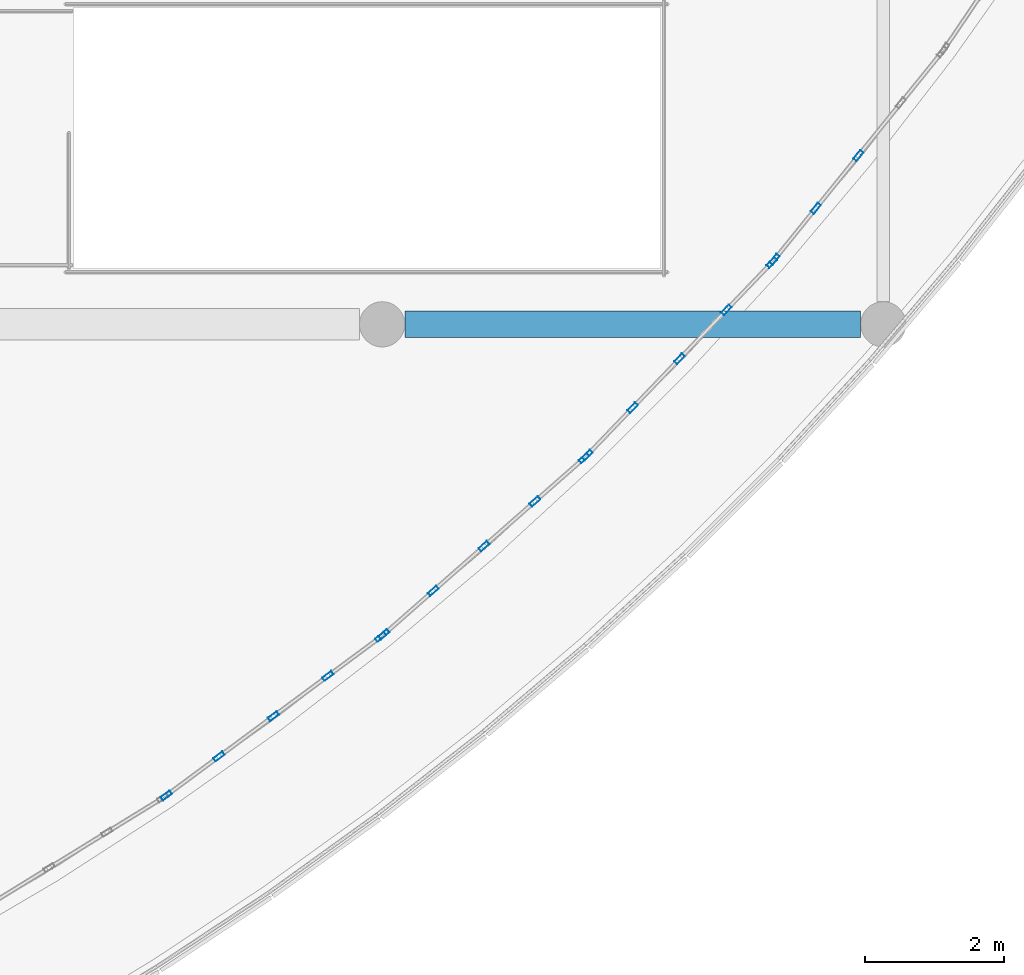
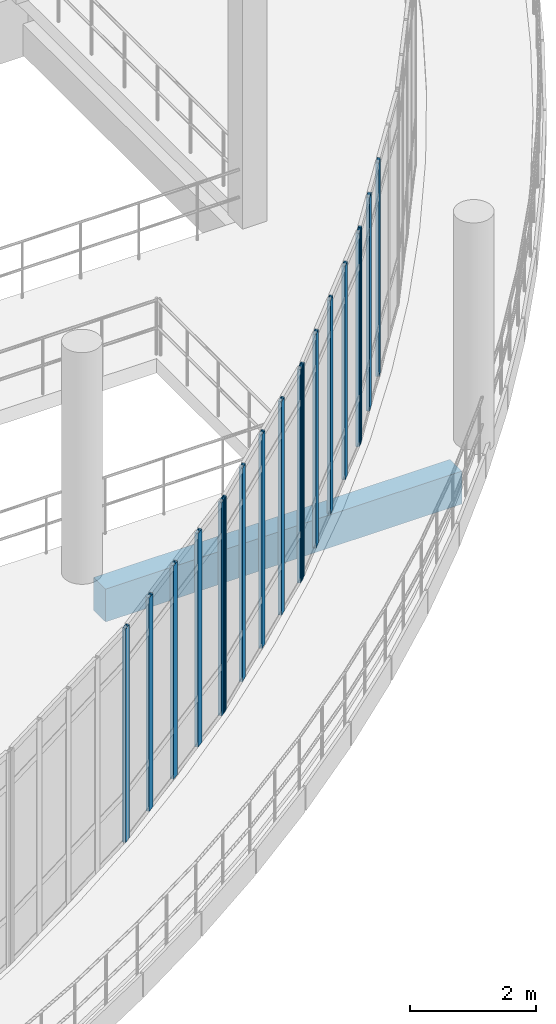
# One storey, part 40 of 116: 18 members, 1 beam, 4 elements without a shape of their own.
"""IFC4 building model written with IfcOpenShell, lengths in metres."""

from ifc_helpers import new_model, si_unit, direction, frame, origin, origin_2d, place, context, subcontext, project, spatial, rectangle, hollow_rectangle, extrude, material, material_profile, profile_set, type_object, element, aggregate, save


model = new_model("IFC4")

# Units and contexts
model_context = context("Model", 3, precision=1e-05, world=origin(), true_north=direction((0.0, 1.0)))
body_context = subcontext(model_context, "Body", "Model", "MODEL_VIEW")
ifc_project = project(units=[si_unit("LENGTHUNIT", "METRE"), si_unit("AREAUNIT", "SQUARE_METRE"), si_unit("VOLUMEUNIT", "CUBIC_METRE"), si_unit("PLANEANGLEUNIT", "RADIAN"), si_unit("MASSUNIT", "GRAM", prefix="KILO")], contexts=[model_context])

# Site, building, storey
site_placement = place(None, origin())
site = spatial("IfcSite", under=ifc_project, at=site_placement, CompositionType="ELEMENT")
building_placement = place(site_placement, origin())
building = spatial("IfcBuilding", under=site, at=building_placement, Name="Kalluvel Institute of Natural Sciences", CompositionType="ELEMENT")
storey_placement = place(building_placement, frame((0.0, 0.0, 14.39990234375)))
storey = spatial("IfcBuildingStorey", under=building, at=storey_placement, Name="L03", CompositionType="ELEMENT", Elevation=14.39990234375)

# Beam
ifc_material_1 = material(Name="Concrete M40", Category="concrete")
ifc_material_profile_1 = material_profile(ifc_material_1, rectangle(XDim=0.3798828125, YDim=0.639892578125, at=origin_2d()), Name="RCB 380x640")
ifc_profile_set_1 = profile_set([ifc_material_profile_1], Name="Concrete M40")
beam_type = type_object("IfcBeamType", Name="BM-RC380x640", PredefinedType="BEAM", material=ifc_profile_set_1)
beam_placement = place(storey_placement, frame((64.72509765625, 71.60009765625, -0.639892578125), z_axis=(1.0, 0.0, 0.0), x_axis=(0.0, 1.0, 0.0)))
element("IfcBeam", 1, at=beam_placement, inside=storey, type_object=beam_type, Name="L03 girder GIR-L03-EW-X644-Y716", PredefinedType="BEAM", context=body_context, shape_type="SweptSolid", body=[
    extrude(rectangle(XDim=0.3798828125, YDim=0.639892578125, at=origin_2d()), origin(), (0.0, 0.0, 1.0), 6.5498046875),
])

# Curtain wall, members
ifc_material_2 = material(Name="Aluminium AW-6063 T6", Category="aluminium")
curtain_wall_type = type_object("IfcCurtainWallType", Name="CW-ATR-ARC", PredefinedType="USERDEFINED", material=ifc_material_2)
curtain_wall_1_placement = place(storey_placement, origin())
curtain_wall_1 = element("IfcCurtainWall", 2, at=curtain_wall_1_placement, inside=storey, type_object=curtain_wall_type, Name="L03 Gothic lancet curtain wall CWA-L03-X613-Y648", ObjectType="UNITISED LANCET FACADE", PredefinedType="USERDEFINED")
ifc_material_profile_2 = material_profile(ifc_material_2, hollow_rectangle(XDim=0.06005859375, YDim=0.159912109375, WallThickness=0.00390625, at=origin_2d()), Name="CWM 60x160")
ifc_profile_set_2 = profile_set([ifc_material_profile_2], Name="Aluminium AW-6063 T6")
member_type = type_object("IfcMemberType", Name="CWM-60x160", PredefinedType="MULLION", material=ifc_profile_set_2)
member_1_placement = place(storey_placement, frame((61.298828125, 64.83056640625, 0.0), z_axis=(0.0, 0.0, 1.0), x_axis=(-0.594638110821, 0.803993480794, 0.0)))
member_1 = element("IfcMember", 3, at=member_1_placement, type_object=member_type, Name="CW-05 mullion 1", PredefinedType="MULLION", context=body_context, shape_type="SweptSolid", body=[
    extrude(hollow_rectangle(XDim=0.06005859375, YDim=0.159912109375, WallThickness=0.00390625, at=origin_2d()), origin(), (0.0, 0.0, 1.0), 4.150146484375),
])
member_2_placement = place(storey_placement, frame((62.05712890625, 65.391357421875, 0.0), z_axis=(0.0, 0.0, 1.0), x_axis=(-0.594638110821, 0.803993480794, 0.0)))
member_2 = element("IfcMember", 4, at=member_2_placement, type_object=member_type, Name="CW-05 mullion 2", PredefinedType="MULLION", context=body_context, shape_type="SweptSolid", body=[
    extrude(hollow_rectangle(XDim=0.06005859375, YDim=0.159912109375, WallThickness=0.00390625, at=origin_2d()), origin(), (0.0, 0.0, 1.0), 4.150146484375),
])
member_3_placement = place(storey_placement, frame((62.83935546875, 65.969970703125, 0.0), z_axis=(0.0, 0.0, 1.0), x_axis=(-0.594638110821, 0.803993480794, 0.0)))
member_3 = element("IfcMember", 5, at=member_3_placement, type_object=member_type, Name="CW-05 mullion 3", PredefinedType="MULLION", context=body_context, shape_type="SweptSolid", body=[
    extrude(hollow_rectangle(XDim=0.06005859375, YDim=0.159912109375, WallThickness=0.00390625, at=origin_2d()), origin(), (0.0, 0.0, 1.0), 4.150146484375),
])
member_4_placement = place(storey_placement, frame((63.62158203125, 66.548583984375, 0.0), z_axis=(0.0, 0.0, 1.0), x_axis=(-0.594638110821, 0.803993480794, 0.0)))
member_4 = element("IfcMember", 6, at=member_4_placement, type_object=member_type, Name="CW-05 mullion 4", PredefinedType="MULLION", context=body_context, shape_type="SweptSolid", body=[
    extrude(hollow_rectangle(XDim=0.06005859375, YDim=0.159912109375, WallThickness=0.00390625, at=origin_2d()), origin(), (0.0, 0.0, 1.0), 4.150146484375),
])
member_5_placement = place(storey_placement, frame((64.3798828125, 67.109375, 0.0), z_axis=(0.0, 0.0, 1.0), x_axis=(-0.594638110821, 0.803993480794, 0.0)))
member_5 = element("IfcMember", 7, at=member_5_placement, type_object=member_type, Name="CW-05 mullion 5", PredefinedType="MULLION", context=body_context, shape_type="SweptSolid", body=[
    extrude(hollow_rectangle(XDim=0.06005859375, YDim=0.159912109375, WallThickness=0.00390625, at=origin_2d()), origin(), (0.0, 0.0, 1.0), 4.150146484375),
])
aggregate(curtain_wall_1, [member_1, member_2, member_3, member_4, member_5])

curtain_wall_2_placement = place(storey_placement, origin())
curtain_wall_2 = element("IfcCurtainWall", 8, at=curtain_wall_2_placement, inside=storey, type_object=curtain_wall_type, Name="L03 Gothic lancet curtain wall CWA-L03-X644-Y671", ObjectType="UNITISED LANCET FACADE", PredefinedType="USERDEFINED")
member_6_placement = place(storey_placement, frame((64.426513671875, 67.14697265625, 0.0), z_axis=(0.0, 0.0, 1.0), x_axis=(-0.660668440506, 0.75067783484, 0.0)))
member_6 = element("IfcMember", 9, at=member_6_placement, type_object=member_type, Name="CW-05 mullion 1", PredefinedType="MULLION", context=body_context, shape_type="SweptSolid", body=[
    extrude(hollow_rectangle(XDim=0.06005859375, YDim=0.159912109375, WallThickness=0.00390625, at=origin_2d()), origin(), (0.0, 0.0, 1.0), 4.150146484375),
])
member_7_placement = place(storey_placement, frame((65.13427734375, 67.77001953125, 0.0), z_axis=(0.0, 0.0, 1.0), x_axis=(-0.660668440506, 0.75067783484, 0.0)))
member_7 = element("IfcMember", 10, at=member_7_placement, type_object=member_type, Name="CW-05 mullion 2", PredefinedType="MULLION", context=body_context, shape_type="SweptSolid", body=[
    extrude(hollow_rectangle(XDim=0.06005859375, YDim=0.159912109375, WallThickness=0.00390625, at=origin_2d()), origin(), (0.0, 0.0, 1.0), 4.150146484375),
])
member_8_placement = place(storey_placement, frame((65.86474609375, 68.41259765625, 0.0), z_axis=(0.0, 0.0, 1.0), x_axis=(-0.660668440506, 0.75067783484, 0.0)))
member_8 = element("IfcMember", 11, at=member_8_placement, type_object=member_type, Name="CW-05 mullion 3", PredefinedType="MULLION", context=body_context, shape_type="SweptSolid", body=[
    extrude(hollow_rectangle(XDim=0.06005859375, YDim=0.159912109375, WallThickness=0.00390625, at=origin_2d()), origin(), (0.0, 0.0, 1.0), 4.150146484375),
])
member_9_placement = place(storey_placement, frame((66.594970703125, 69.055419921875, 0.0), z_axis=(0.0, 0.0, 1.0), x_axis=(-0.660668440506, 0.75067783484, 0.0)))
member_9 = element("IfcMember", 12, at=member_9_placement, type_object=member_type, Name="CW-05 mullion 4", PredefinedType="MULLION", context=body_context, shape_type="SweptSolid", body=[
    extrude(hollow_rectangle(XDim=0.06005859375, YDim=0.159912109375, WallThickness=0.00390625, at=origin_2d()), origin(), (0.0, 0.0, 1.0), 4.150146484375),
])
member_10_placement = place(storey_placement, frame((67.302978515625, 69.678466796875, 0.0), z_axis=(0.0, 0.0, 1.0), x_axis=(-0.660668440506, 0.75067783484, 0.0)))
member_10 = element("IfcMember", 13, at=member_10_placement, type_object=member_type, Name="CW-05 mullion 5", PredefinedType="MULLION", context=body_context, shape_type="SweptSolid", body=[
    extrude(hollow_rectangle(XDim=0.06005859375, YDim=0.159912109375, WallThickness=0.00390625, at=origin_2d()), origin(), (0.0, 0.0, 1.0), 4.150146484375),
])
aggregate(curtain_wall_2, [member_6, member_7, member_8, member_9, member_10])

curtain_wall_3_placement = place(storey_placement, origin())
curtain_wall_3 = element("IfcCurtainWall", 14, at=curtain_wall_3_placement, inside=storey, type_object=curtain_wall_type, Name="L03 Gothic lancet curtain wall CWA-L03-X673-Y697", ObjectType="UNITISED LANCET FACADE", PredefinedType="USERDEFINED")
member_11_placement = place(storey_placement, frame((67.34619140625, 69.719970703125, 0.0), z_axis=(0.0, 0.0, 1.0), x_axis=(-0.721965742346, 0.691928801886, 0.0)))
member_11 = element("IfcMember", 15, at=member_11_placement, type_object=member_type, Name="CW-05 mullion 1", PredefinedType="MULLION", context=body_context, shape_type="SweptSolid", body=[
    extrude(hollow_rectangle(XDim=0.06005859375, YDim=0.159912109375, WallThickness=0.00390625, at=origin_2d()), origin(), (0.0, 0.0, 1.0), 4.150146484375),
])
member_12_placement = place(storey_placement, frame((67.99853515625, 70.400634765625, 0.0), z_axis=(0.0, 0.0, 1.0), x_axis=(-0.721965742346, 0.691928801886, 0.0)))
member_12 = element("IfcMember", 16, at=member_12_placement, type_object=member_type, Name="CW-05 mullion 2", PredefinedType="MULLION", context=body_context, shape_type="SweptSolid", body=[
    extrude(hollow_rectangle(XDim=0.06005859375, YDim=0.159912109375, WallThickness=0.00390625, at=origin_2d()), origin(), (0.0, 0.0, 1.0), 4.150146484375),
])
member_13_placement = place(storey_placement, frame((68.671875, 71.103271484375, 0.0), z_axis=(0.0, 0.0, 1.0), x_axis=(-0.721965742346, 0.691928801886, 0.0)))
member_13 = element("IfcMember", 17, at=member_13_placement, type_object=member_type, Name="CW-05 mullion 3", PredefinedType="MULLION", context=body_context, shape_type="SweptSolid", body=[
    extrude(hollow_rectangle(XDim=0.06005859375, YDim=0.159912109375, WallThickness=0.00390625, at=origin_2d()), origin(), (0.0, 0.0, 1.0), 4.150146484375),
])
member_14_placement = place(storey_placement, frame((69.344970703125, 71.8056640625, 0.0), z_axis=(0.0, 0.0, 1.0), x_axis=(-0.721965742346, 0.691928801886, 0.0)))
member_14 = element("IfcMember", 18, at=member_14_placement, type_object=member_type, Name="CW-05 mullion 4", PredefinedType="MULLION", context=body_context, shape_type="SweptSolid", body=[
    extrude(hollow_rectangle(XDim=0.06005859375, YDim=0.159912109375, WallThickness=0.00390625, at=origin_2d()), origin(), (0.0, 0.0, 1.0), 4.150146484375),
])
member_15_placement = place(storey_placement, frame((69.99755859375, 72.486328125, 0.0), z_axis=(0.0, 0.0, 1.0), x_axis=(-0.721965742346, 0.691928801886, 0.0)))
member_15 = element("IfcMember", 19, at=member_15_placement, type_object=member_type, Name="CW-05 mullion 5", PredefinedType="MULLION", context=body_context, shape_type="SweptSolid", body=[
    extrude(hollow_rectangle(XDim=0.06005859375, YDim=0.159912109375, WallThickness=0.00390625, at=origin_2d()), origin(), (0.0, 0.0, 1.0), 4.150146484375),
])
aggregate(curtain_wall_3, [member_11, member_12, member_13, member_14, member_15])

curtain_wall_4_placement = place(storey_placement, origin())
curtain_wall_4 = element("IfcCurtainWall", 20, at=curtain_wall_4_placement, inside=storey, type_object=curtain_wall_type, Name="L03 Gothic lancet curtain wall CWA-L03-X700-Y725", ObjectType="UNITISED LANCET FACADE", PredefinedType="USERDEFINED")
member_16_placement = place(storey_placement, frame((70.037109375, 72.531494140625, 0.0), z_axis=(0.0, 0.0, 1.0), x_axis=(-0.778028124454, 0.628229446586, 0.0)))
member_16 = element("IfcMember", 21, at=member_16_placement, type_object=member_type, Name="CW-05 mullion 1", PredefinedType="MULLION", context=body_context, shape_type="SweptSolid", body=[
    extrude(hollow_rectangle(XDim=0.06005859375, YDim=0.159912109375, WallThickness=0.00390625, at=origin_2d()), origin(), (0.0, 0.0, 1.0), 4.150146484375),
])
member_17_placement = place(storey_placement, frame((70.629638671875, 73.26513671875, 0.0), z_axis=(0.0, 0.0, 1.0), x_axis=(-0.778028124454, 0.628229446586, 0.0)))
member_17 = element("IfcMember", 22, at=member_17_placement, type_object=member_type, Name="CW-05 mullion 2", PredefinedType="MULLION", context=body_context, shape_type="SweptSolid", body=[
    extrude(hollow_rectangle(XDim=0.06005859375, YDim=0.159912109375, WallThickness=0.00390625, at=origin_2d()), origin(), (0.0, 0.0, 1.0), 4.150146484375),
])
member_18_placement = place(storey_placement, frame((71.24072265625, 74.022216796875, 0.0), z_axis=(0.0, 0.0, 1.0), x_axis=(-0.778028124454, 0.628229446586, 0.0)))
member_18 = element("IfcMember", 23, at=member_18_placement, type_object=member_type, Name="CW-05 mullion 3", PredefinedType="MULLION", context=body_context, shape_type="SweptSolid", body=[
    extrude(hollow_rectangle(XDim=0.06005859375, YDim=0.159912109375, WallThickness=0.00390625, at=origin_2d()), origin(), (0.0, 0.0, 1.0), 4.150146484375),
])
aggregate(curtain_wall_4, [member_16, member_17, member_18])

save(model, "model.ifc")
